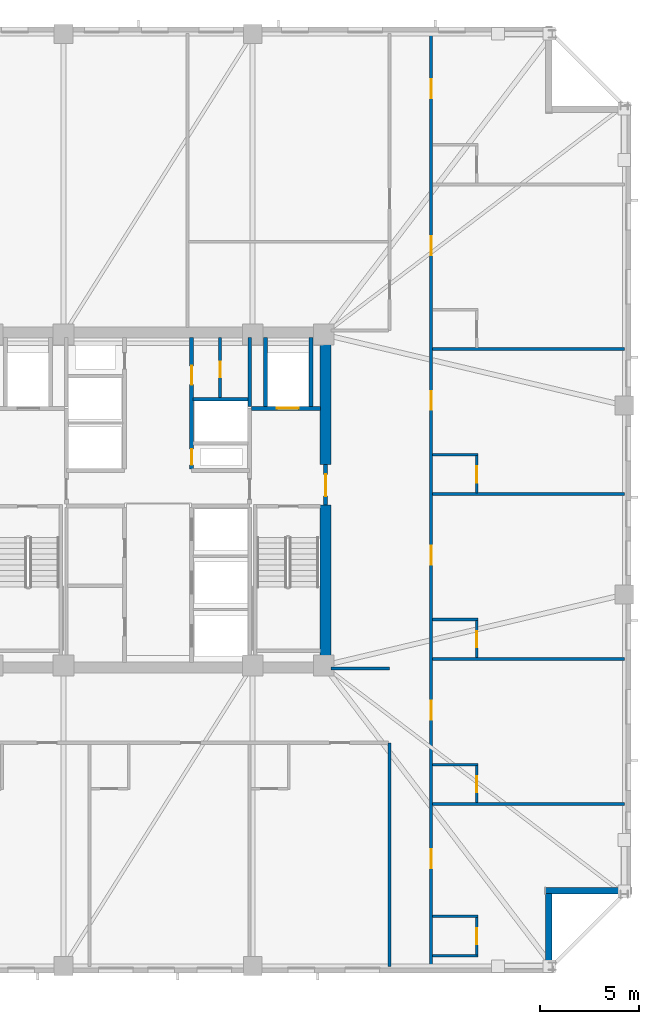
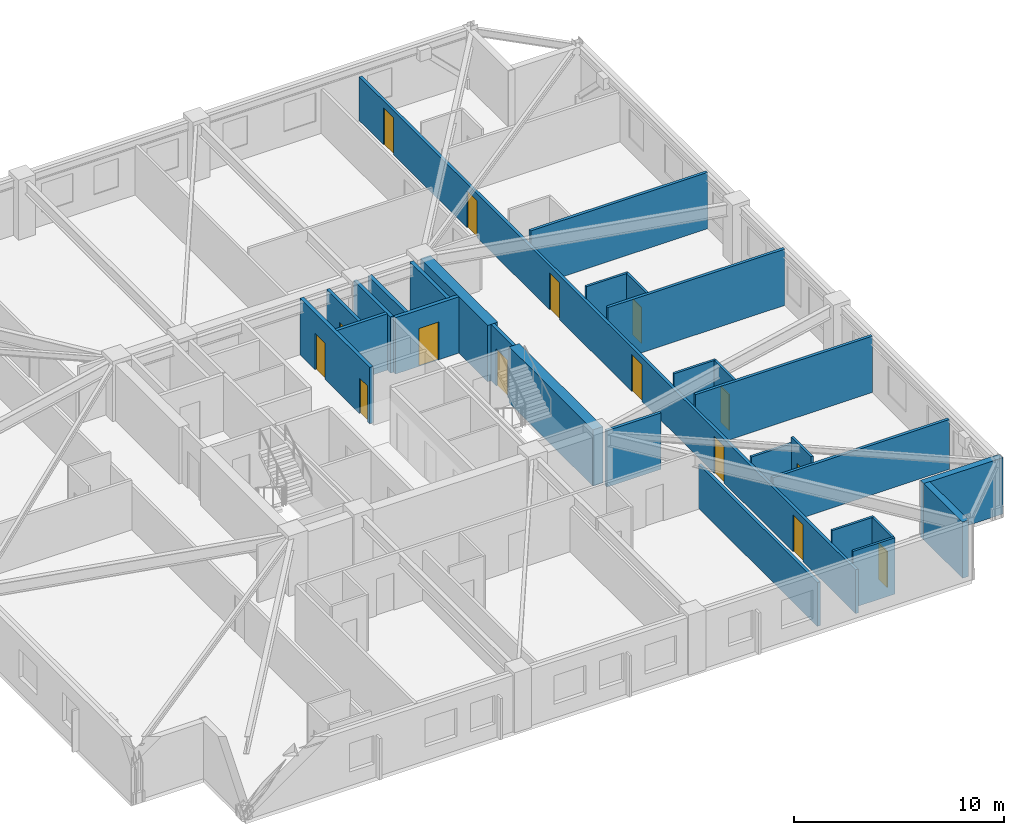
# One storey, part 4 of 11: 28 walls, 15 doors, 15 openings.
"""IFC4 building model written with IfcOpenShell, lengths in metres."""

import ifcopenshell
import ifcopenshell.guid

model = None  # the IFC model being written
_history = None  # IfcOwnerHistory: only IFC2X3 demands one
_inside = {}  # id of a spatial element -> (the spatial element, [elements in it])
_under = {}  # id of a project, library or spatial element -> (it, [spatial elements below it])
_declared = {}  # id of a project -> (the project, [libraries it declares])
_typed = {}  # id of a type object -> (the type object, [elements of that type])
_made_of = {}  # id of a material, layer set ... -> (it, [elements and type objects made of it])


def new_model(schema):
    """Start an empty IFC model of exactly this schema.

    Asked for "IFC4X3", IfcOpenShell would pick the latest addendum, in which some entities
    have other attributes; the version numbers below select the first issue.
    IFC2X3 requires an IfcOwnerHistory on every rooted entity: one is made here for all.
    """
    global model, _history
    if schema == "IFC4X3":
        model = ifcopenshell.file(schema_version=(4, 3, 0, 0))
    else:
        model = ifcopenshell.file(schema=schema)
    _inside.clear()
    _under.clear()
    _declared.clear()
    _typed.clear()
    _made_of.clear()
    _history = None
    if model.schema == "IFC2X3":
        org = make("IfcOrganization", Name="unknown")
        user = make(
            "IfcPersonAndOrganization",
            ThePerson=make("IfcPerson", FamilyName="unknown"),
            TheOrganization=org,
        )
        app = make(
            "IfcApplication",
            ApplicationDeveloper=org,
            Version="unknown",
            ApplicationFullName="unknown",
            ApplicationIdentifier="unknown",
        )
        _history = make(
            "IfcOwnerHistory",
            OwningUser=user,
            OwningApplication=app,
            ChangeAction="ADDED",
            CreationDate=0,
        )
    return model


def make(cls, **values):
    """One entity of the class cls with the attributes given. An attribute that is None is left unset."""
    return model.create_entity(
        cls, **{name: value for name, value in values.items() if value is not None}
    )


def rooted(cls, **values):
    """An entity with a GlobalId (a new one), such as an element, a storey or a relation."""
    return make(cls, GlobalId=ifcopenshell.guid.new(), OwnerHistory=_history, **values)


def si_unit(unit_type, name, prefix=None):
    """IfcSIUnit, for example si_unit("LENGTHUNIT", "METRE", prefix="MILLI")."""
    return make("IfcSIUnit", UnitType=unit_type, Prefix=prefix, Name=name)


def assignment(units):
    """IfcUnitAssignment: the units of a project."""
    return None if units is None else make("IfcUnitAssignment", Units=units)


def point(xyz):
    """IfcCartesianPoint."""
    return None if xyz is None else make("IfcCartesianPoint", Coordinates=xyz)


def direction(xyz):
    """IfcDirection."""
    return None if xyz is None else make("IfcDirection", DirectionRatios=xyz)


def frame(location, z_axis=None, x_axis=None):
    """IfcAxis2Placement3D, a coordinate frame: its origin and axes. An axis left out is left unset."""
    return make(
        "IfcAxis2Placement3D",
        Location=point(location),
        Axis=direction(z_axis),
        RefDirection=direction(x_axis),
    )


def frame_2d(location, x_axis=None):
    """IfcAxis2Placement2D, a coordinate frame in the plane: its origin and x axis."""
    return make(
        "IfcAxis2Placement2D", Location=point(location), RefDirection=direction(x_axis)
    )


def origin():
    """The frame at (0, 0, 0) with its axes left unset."""
    return frame((0.0, 0.0, 0.0))


def place(relative_to, where):
    """IfcLocalPlacement: puts the frame where relative to a parent placement (None: the world)."""
    return make(
        "IfcLocalPlacement", PlacementRelTo=relative_to, RelativePlacement=where
    )


def context(
    kind, dimensions, precision=None, world=None, true_north=None, identifier=None
):
    """IfcGeometricRepresentationContext, for example the 3D "Model" context."""
    return make(
        "IfcGeometricRepresentationContext",
        ContextIdentifier=identifier,
        ContextType=kind,
        CoordinateSpaceDimension=dimensions,
        Precision=precision,
        WorldCoordinateSystem=world,
        TrueNorth=true_north,
    )


def subcontext(parent, identifier, kind, view, scale=None):
    """IfcGeometricRepresentationSubContext, for example "Body" below "Model"."""
    return make(
        "IfcGeometricRepresentationSubContext",
        ContextIdentifier=identifier,
        ContextType=kind,
        ParentContext=parent,
        TargetScale=scale,
        TargetView=view,
    )


def project(units=None, contexts=None):
    """IfcProject with its units and contexts."""
    return rooted(
        "IfcProject",
        Name="project",
        RepresentationContexts=contexts,
        UnitsInContext=assignment(units),
    )


def spatial(cls, under=None, at=None, **own):
    """A site, building, storey or space (cls), placed at a placement, below another one or the project."""
    s = rooted(cls, ObjectPlacement=at, **own)
    if under is not None:
        _under.setdefault(under.id(), (under, []))[1].append(s)
    return s


def profile(cls, at=None, kind="AREA", **sizes):
    """A parametric profile (cls). Its sizes go by their IFC names, for example OverallWidth=200.0."""
    return make(cls, ProfileType=kind, Position=at, **sizes)


def rectangle(**sizes):
    """IfcRectangleProfileDef."""
    return profile("IfcRectangleProfileDef", **sizes)


def extrude(swept, where, along, depth):
    """IfcExtrudedAreaSolid: the profile swept, set in the frame where, extruded along a direction by depth."""
    return make(
        "IfcExtrudedAreaSolid",
        SweptArea=swept,
        Position=where,
        ExtrudedDirection=direction(along),
        Depth=depth,
    )


def shape(context_of_items, identifier, shape_type, items):
    """IfcShapeRepresentation: the items that make up one representation, for example the "Body"."""
    return make(
        "IfcShapeRepresentation",
        ContextOfItems=context_of_items,
        RepresentationIdentifier=identifier,
        RepresentationType=shape_type,
        Items=items,
    )


def material(Name=None, Category=None):
    """IfcMaterial."""
    return make("IfcMaterial", Name=Name, Category=Category)


def layer(
    of_material, thickness, ventilated=None, Name=None, Category=None, Priority=None
):
    """IfcMaterialLayer: one layer of a wall or slab, of a material (None: an air gap)."""
    return make(
        "IfcMaterialLayer",
        Material=of_material,
        LayerThickness=thickness,
        IsVentilated=ventilated,
        Name=Name,
        Category=Category,
        Priority=Priority,
    )


def layer_set(layers, Name=None):
    """IfcMaterialLayerSet."""
    return make("IfcMaterialLayerSet", MaterialLayers=layers, LayerSetName=Name)


def made_of(thing, what):
    """Note that an element or type object is made of a material, layer set ...; save() writes the relation."""
    if what is not None:
        _made_of.setdefault(what.id(), (what, []))[1].append(thing)
    return thing


def type_object(cls, material=None, **own):
    """A type object (cls), such as IfcWallType, which elements share."""
    return made_of(rooted(cls, **own), material)


def element(
    cls,
    number,
    at=None,
    inside=None,
    cuts=None,
    type_object=None,
    material=None,
    context=None,
    identifier="Body",
    shape_type=None,
    held_by="IfcProductDefinitionShape",
    body=None,
    shapes=None,
    **own,
):
    """One element of the class cls, such as IfcWall. Its Tag is "e" and its number.

    at: its placement. inside: the storey or other place that contains it. cuts: it is an
    opening in that element (IfcRelVoidsElement). A single representation is given by context,
    identifier, shape_type and body (its items); several are given by shapes. held_by: the class
    of the entity that holds the representations. save() writes the other relations.
    """
    e = rooted(cls, Tag="e%d" % number, ObjectPlacement=at, **own)
    if body is not None:
        shapes = [shape(context, identifier, shape_type, body)]
    if shapes is not None:
        e.Representation = make(held_by, Representations=shapes)
    if inside is not None:
        _inside.setdefault(inside.id(), (inside, []))[1].append(e)
    if cuts is not None:
        rooted(
            "IfcRelVoidsElement", RelatingBuildingElement=cuts, RelatedOpeningElement=e
        )
    if type_object is not None:
        _typed.setdefault(type_object.id(), (type_object, []))[1].append(e)
    return made_of(e, material)


def fill(opening, filler):
    """IfcRelFillsElement: the door or window that sits in an opening."""
    return rooted(
        "IfcRelFillsElement",
        RelatingOpeningElement=opening,
        RelatedBuildingElement=filler,
    )


def aggregate(whole, parts):
    """IfcRelAggregates: a whole, such as a stair, and the parts it consists of."""
    return rooted("IfcRelAggregates", RelatingObject=whole, RelatedObjects=parts)


def save(model, path):
    """Write the relations noted so far, then the file.

    IfcRelAggregates (storeys below a building ...), IfcRelContainedInSpatialStructure (elements
    in a storey), IfcRelDefinesByType, IfcRelAssociatesMaterial and IfcRelDeclares: one each for
    every whole, place, type object, material and project.
    """
    for whole, parts in _under.values():
        aggregate(whole, parts)
    for where, things in _inside.values():
        rooted(
            "IfcRelContainedInSpatialStructure",
            RelatedElements=things,
            RelatingStructure=where,
        )
    for kind, things in _typed.values():
        rooted("IfcRelDefinesByType", RelatedObjects=things, RelatingType=kind)
    for what, things in _made_of.values():
        rooted("IfcRelAssociatesMaterial", RelatedObjects=things, RelatingMaterial=what)
    for by, libraries in _declared.values():
        rooted("IfcRelDeclares", RelatingContext=by, RelatedDefinitions=libraries)
    model.write(path)


model = new_model("IFC4")

# Units and contexts
model_context = context("Model", 3, precision=1e-05, world=origin(), true_north=direction((0.0, 1.0)))
body_context = subcontext(model_context, "Body", "Model", "MODEL_VIEW")
ifc_project = project(units=[si_unit("LENGTHUNIT", "METRE"), si_unit("AREAUNIT", "SQUARE_METRE"), si_unit("VOLUMEUNIT", "CUBIC_METRE"), si_unit("PLANEANGLEUNIT", "RADIAN"), si_unit("MASSUNIT", "GRAM", prefix="KILO")], contexts=[model_context])

# Site, building, storey
site_placement = place(None, origin())
site = spatial("IfcSite", under=ifc_project, at=site_placement, CompositionType="ELEMENT")
building_placement = place(site_placement, origin())
building = spatial("IfcBuilding", under=site, at=building_placement, Name="Cairnveth Concourse Tower", CompositionType="ELEMENT")
storey_placement = place(building_placement, frame((0.0, 0.0, 127.0)))
storey = spatial("IfcBuildingStorey", under=building, at=storey_placement, Name="L34", CompositionType="ELEMENT", Elevation=127.0)

# Wall, opening, door
ifc_material_1 = material(Name="Gypsum Plasterboard Partition", Category="gypsum")
ifc_layer_1 = layer(ifc_material_1, 0.159912109375)
ifc_layer_set_1 = layer_set([ifc_layer_1], Name="Gypsum Plasterboard Partition")
wall_type_1 = type_object("IfcWallType", Name="ACOUSTIC PARTY WALL 180", PredefinedType="PARTITIONING", material=ifc_layer_set_1)
wall_1_placement = place(storey_placement, frame((55.14990234375, 44.195068359375, 0.0), z_axis=(0.0, 0.0, 1.0), x_axis=(0.0, 1.0, 0.0)))
wall_1 = element("IfcWall", 1, at=wall_1_placement, inside=storey, type_object=wall_type_1, Name="Interior Wall IW-L34-036", PredefinedType="PARTITIONING", context=body_context, shape_type="SweptSolid", body=[
    extrude(rectangle(XDim=3.044921875, YDim=0.159912109375, at=frame_2d((1.5224609375, 0.0))), origin(), (0.0, 0.0, 1.0), 3.280029296875),
])
opening_1_placement = place(wall_1_placement, frame((1.02490234375, 0.0, 0.0)))
opening_1 = element("IfcOpeningElement", 2, at=opening_1_placement, cuts=wall_1, Name="Opening ID23", PredefinedType="OPENING", context=body_context, shape_type="SweptSolid", body=[
    extrude(rectangle(XDim=0.800048828125, YDim=2.10009765625, at=frame_2d((0.39990234375, 1.050048828125))), frame((0.0, 0.08984375, 0.0), z_axis=(0.0, -1.0, 0.0), x_axis=(1.0, 0.0, 0.0)), (0.0, 0.0, 1.0), 0.179931640625),
])
ifc_material_2 = material(Name="Steel Grade 350", Category="steel")
door_type_1 = type_object("IfcDoorType", Name="CORE SERVICE DOOR 800X2100", OperationType="NOTDEFINED", PredefinedType="DOOR", material=ifc_material_2)
door_1_placement = place(opening_1_placement, origin())
door_1 = element("IfcDoor", 3, at=door_1_placement, inside=storey, type_object=door_type_1, Name="NE Linen Closet Door L34", OperationType="SINGLE_SWING_LEFT", OverallHeight=2.10009765625, OverallWidth=0.800048828125, PredefinedType="DOOR", context=body_context, shape_type="SweptSolid", body=[
    extrude(rectangle(XDim=0.800048828125, YDim=2.10009765625, at=frame_2d((0.39990234375, 1.050048828125))), frame((0.0, 0.02490234375, 0.0), z_axis=(0.0, -1.0, 0.0), x_axis=(1.0, 0.0, 0.0)), (0.0, 0.0, 1.0), 0.050048828125),
])
fill(opening_1, door_1)

# Wall, openings, doors
wall_2_placement = place(storey_placement, frame((65.85009765625, 15.324951171875, 0.0), z_axis=(0.0, 0.0, 1.0), x_axis=(0.0, 1.0, 0.0)))
wall_2 = element("IfcWall", 4, at=wall_2_placement, inside=storey, type_object=wall_type_1, Name="Interior Wall IW-L34-042", PredefinedType="PARTITIONING", context=body_context, shape_type="SweptSolid", body=[
    extrude(rectangle(XDim=47.35009765625, YDim=0.159912109375, at=frame_2d((23.675048828125, 0.0))), origin(), (0.0, 0.0, 1.0), 2.554931640625),
])
opening_2_placement = place(wall_2_placement, frame((4.992919921875, 0.0, 0.0)))
opening_2 = element("IfcOpeningElement", 5, at=opening_2_placement, cuts=wall_2, Name="Opening ID09", PredefinedType="OPENING", context=body_context, shape_type="SweptSolid", body=[
    extrude(rectangle(XDim=0.9599609375, YDim=2.14990234375, at=frame_2d((0.47998046875, 1.074951171875))), frame((0.0, 0.08984375, 0.0), z_axis=(0.0, -1.0, 0.0), x_axis=(1.0, 0.0, 0.0)), (0.0, 0.0, 1.0), 0.179931640625),
])
opening_3_placement = place(wall_2_placement, frame((12.525390625, 0.0, 0.0)))
opening_3 = element("IfcOpeningElement", 6, at=opening_3_placement, cuts=wall_2, Name="Opening ID09", PredefinedType="OPENING", context=body_context, shape_type="SweptSolid", body=[
    extrude(rectangle(XDim=0.9599609375, YDim=2.14990234375, at=frame_2d((0.47998046875, 1.074951171875))), frame((0.0, 0.08984375, 0.0), z_axis=(0.0, -1.0, 0.0), x_axis=(1.0, 0.0, 0.0)), (0.0, 0.0, 1.0), 0.179931640625),
])
opening_4_placement = place(wall_2_placement, frame((20.385498046875, 0.0, 0.0)))
opening_4 = element("IfcOpeningElement", 7, at=opening_4_placement, cuts=wall_2, Name="Opening ID09", PredefinedType="OPENING", context=body_context, shape_type="SweptSolid", body=[
    extrude(rectangle(XDim=0.9599609375, YDim=2.14990234375, at=frame_2d((0.47998046875, 1.074951171875))), frame((0.0, 0.08984375, 0.0), z_axis=(0.0, -1.0, 0.0), x_axis=(1.0, 0.0, 0.0)), (0.0, 0.0, 1.0), 0.179931640625),
])
opening_5_placement = place(wall_2_placement, frame((28.24560546875, 0.0, 0.0)))
opening_5 = element("IfcOpeningElement", 8, at=opening_5_placement, cuts=wall_2, Name="Opening ID09", PredefinedType="OPENING", context=body_context, shape_type="SweptSolid", body=[
    extrude(rectangle(XDim=0.9599609375, YDim=2.14990234375, at=frame_2d((0.47998046875, 1.074951171875))), frame((0.0, 0.08984375, 0.0), z_axis=(0.0, -1.0, 0.0), x_axis=(1.0, 0.0, 0.0)), (0.0, 0.0, 1.0), 0.179931640625),
])
opening_6_placement = place(wall_2_placement, frame((36.10546875, 0.0, 0.0)))
opening_6 = element("IfcOpeningElement", 9, at=opening_6_placement, cuts=wall_2, Name="Opening ID09", PredefinedType="OPENING", context=body_context, shape_type="SweptSolid", body=[
    extrude(rectangle(XDim=0.9599609375, YDim=2.14990234375, at=frame_2d((0.47998046875, 1.074951171875))), frame((0.0, 0.08984375, 0.0), z_axis=(0.0, -1.0, 0.0), x_axis=(1.0, 0.0, 0.0)), (0.0, 0.0, 1.0), 0.179931640625),
])
opening_7_placement = place(wall_2_placement, frame((44.06787109375, 0.0, 0.0)))
opening_7 = element("IfcOpeningElement", 10, at=opening_7_placement, cuts=wall_2, Name="Opening ID09", PredefinedType="OPENING", context=body_context, shape_type="SweptSolid", body=[
    extrude(rectangle(XDim=0.9599609375, YDim=2.14990234375, at=frame_2d((0.47998046875, 1.074951171875))), frame((0.0, 0.08984375, 0.0), z_axis=(0.0, -1.0, 0.0), x_axis=(1.0, 0.0, 0.0)), (0.0, 0.0, 1.0), 0.179931640625),
])
ifc_material_3 = material(Name="Solid Core Hardwood Timber Leaf", Category="wood")
door_type_2 = type_object("IfcDoorType", Name="HOTEL ENTRANCE DOOR 960X2150", OperationType="NOTDEFINED", PredefinedType="DOOR", material=ifc_material_3)
door_2_placement = place(opening_2_placement, origin())
door_2 = element("IfcDoor", 11, at=door_2_placement, inside=storey, type_object=door_type_2, Name="Hotel Room Door L34-E1", OperationType="SINGLE_SWING_RIGHT", OverallHeight=2.14990234375, OverallWidth=0.9599609375, PredefinedType="DOOR", context=body_context, shape_type="SweptSolid", body=[
    extrude(rectangle(XDim=0.9599609375, YDim=2.14990234375, at=frame_2d((0.47998046875, 1.074951171875))), frame((0.0, 0.02490234375, 0.0), z_axis=(0.0, -1.0, 0.0), x_axis=(1.0, 0.0, 0.0)), (0.0, 0.0, 1.0), 0.050048828125),
])
fill(opening_2, door_2)
door_3_placement = place(opening_3_placement, origin())
door_3 = element("IfcDoor", 12, at=door_3_placement, inside=storey, type_object=door_type_2, Name="Hotel Room Door L34-E2", OperationType="SINGLE_SWING_RIGHT", OverallHeight=2.14990234375, OverallWidth=0.9599609375, PredefinedType="DOOR", context=body_context, shape_type="SweptSolid", body=[
    extrude(rectangle(XDim=0.9599609375, YDim=2.14990234375, at=frame_2d((0.47998046875, 1.074951171875))), frame((0.0, 0.02490234375, 0.0), z_axis=(0.0, -1.0, 0.0), x_axis=(1.0, 0.0, 0.0)), (0.0, 0.0, 1.0), 0.050048828125),
])
fill(opening_3, door_3)
door_4_placement = place(opening_4_placement, origin())
door_4 = element("IfcDoor", 13, at=door_4_placement, inside=storey, type_object=door_type_2, Name="Hotel Room Door L34-E3", OperationType="SINGLE_SWING_RIGHT", OverallHeight=2.14990234375, OverallWidth=0.9599609375, PredefinedType="DOOR", context=body_context, shape_type="SweptSolid", body=[
    extrude(rectangle(XDim=0.9599609375, YDim=2.14990234375, at=frame_2d((0.47998046875, 1.074951171875))), frame((0.0, 0.02490234375, 0.0), z_axis=(0.0, -1.0, 0.0), x_axis=(1.0, 0.0, 0.0)), (0.0, 0.0, 1.0), 0.050048828125),
])
fill(opening_4, door_4)
door_5_placement = place(opening_5_placement, origin())
door_5 = element("IfcDoor", 14, at=door_5_placement, inside=storey, type_object=door_type_2, Name="Hotel Room Door L34-E4", OperationType="SINGLE_SWING_RIGHT", OverallHeight=2.14990234375, OverallWidth=0.9599609375, PredefinedType="DOOR", context=body_context, shape_type="SweptSolid", body=[
    extrude(rectangle(XDim=0.9599609375, YDim=2.14990234375, at=frame_2d((0.47998046875, 1.074951171875))), frame((0.0, 0.02490234375, 0.0), z_axis=(0.0, -1.0, 0.0), x_axis=(1.0, 0.0, 0.0)), (0.0, 0.0, 1.0), 0.050048828125),
])
fill(opening_5, door_5)
door_6_placement = place(opening_6_placement, origin())
door_6 = element("IfcDoor", 15, at=door_6_placement, inside=storey, type_object=door_type_2, Name="Hotel Room Door L34-E5", OperationType="SINGLE_SWING_RIGHT", OverallHeight=2.14990234375, OverallWidth=0.9599609375, PredefinedType="DOOR", context=body_context, shape_type="SweptSolid", body=[
    extrude(rectangle(XDim=0.9599609375, YDim=2.14990234375, at=frame_2d((0.47998046875, 1.074951171875))), frame((0.0, 0.02490234375, 0.0), z_axis=(0.0, -1.0, 0.0), x_axis=(1.0, 0.0, 0.0)), (0.0, 0.0, 1.0), 0.050048828125),
])
fill(opening_6, door_6)
door_7_placement = place(opening_7_placement, origin())
door_7 = element("IfcDoor", 16, at=door_7_placement, inside=storey, type_object=door_type_2, Name="Hotel Room Door L34-E6", OperationType="SINGLE_SWING_RIGHT", OverallHeight=2.14990234375, OverallWidth=0.9599609375, PredefinedType="DOOR", context=body_context, shape_type="SweptSolid", body=[
    extrude(rectangle(XDim=0.9599609375, YDim=2.14990234375, at=frame_2d((0.47998046875, 1.074951171875))), frame((0.0, 0.02490234375, 0.0), z_axis=(0.0, -1.0, 0.0), x_axis=(1.0, 0.0, 0.0)), (0.0, 0.0, 1.0), 0.050048828125),
])
fill(opening_7, door_7)

# Walls
wall_3_placement = place(storey_placement, frame((63.75, 15.324951171875, 0.0), z_axis=(0.0, 0.0, 1.0), x_axis=(0.0, 1.0, 0.0)))
element("IfcWall", 17, at=wall_3_placement, inside=storey, type_object=wall_type_1, Name="Interior Wall IW-L34-043", PredefinedType="PARTITIONING", context=body_context, shape_type="SweptSolid", body=[
    extrude(rectangle(XDim=11.35498046875, YDim=0.159912109375, at=frame_2d((5.677490234375, 0.0))), origin(), (0.0, 0.0, 1.0), 2.554931640625),
])
wall_4_placement = place(storey_placement, frame((60.764892578125, 30.449951171875, 0.0), z_axis=(0.0, 0.0, 1.0), x_axis=(1.0, 0.0, 0.0)))
element("IfcWall", 18, at=wall_4_placement, inside=storey, type_object=wall_type_1, Name="Interior Wall IW-L34-045", PredefinedType="PARTITIONING", context=body_context, shape_type="SweptSolid", body=[
    extrude(rectangle(XDim=2.985107421875, YDim=0.159912109375, at=frame_2d((1.49267578125, 0.0))), origin(), (0.0, 0.0, 1.0), 3.280029296875),
])
wall_5_placement = place(storey_placement, frame((65.929931640625, 23.57568359375, 0.0), z_axis=(0.0, 0.0, 1.0), x_axis=(1.0, 0.0, 0.0)))
element("IfcWall", 19, at=wall_5_placement, inside=storey, type_object=wall_type_1, Name="Interior Wall IW-L34-068", PredefinedType="PARTITIONING", context=body_context, shape_type="SweptSolid", body=[
    extrude(rectangle(XDim=9.7451171875, YDim=0.159912109375, at=frame_2d((4.87255859375, 0.0))), origin(), (0.0, 0.0, 1.0), 2.89599609375),
])
for number, where, z_axis, x_axis, name in (
    (20, (65.929931640625, 30.935302734375, 0.0), (0.0, 0.0, 1.0), (1.0, 0.0, 0.0), "Interior Wall IW-L34-071"),
    (21, (65.929931640625, 39.295654296875, 0.0), (0.0, 0.0, 1.0), (1.0, 0.0, 0.0), "Interior Wall IW-L34-074"),
    (22, (65.929931640625, 46.6552734375, 0.0), (0.0, 0.0, 1.0), (1.0, 0.0, 0.0), "Interior Wall IW-L34-077"),
):
    element("IfcWall", number, at=place(storey_placement, frame(where, z_axis=z_axis, x_axis=x_axis)), inside=storey, type_object=wall_type_1, Name=name, PredefinedType="PARTITIONING", context=body_context, shape_type="SweptSolid", body=[
        extrude(rectangle(XDim=9.7451171875, YDim=0.159912109375, at=frame_2d((4.87255859375, 0.0))), origin(), (0.0, 0.0, 1.0), 3.280029296875),
    ])
ifc_material_4 = material(Name="Concrete N80 (80 MPa)", Category="concrete")
ifc_layer_2 = layer(ifc_material_4, 0.550048828125)
ifc_layer_set_2 = layer_set([ifc_layer_2], Name="Concrete N80 (80 MPa)")
wall_type_2 = type_object("IfcWallType", Name="CORE SHEAR WALL 550", PredefinedType="SHEAR", material=ifc_layer_set_2)
wall_6_placement = place(storey_placement, frame((60.5, 30.764892578125, 0.0), z_axis=(0.0, 0.0, 1.0), x_axis=(0.0, 1.0, 0.0)))
element("IfcWall", 23, at=wall_6_placement, inside=storey, type_object=wall_type_2, Name="Core East Shear Wall S L34", PredefinedType="SHEAR", context=body_context, shape_type="SweptSolid", body=[
    extrude(rectangle(XDim=7.985107421875, YDim=0.550048828125, at=frame_2d((3.99267578125, 0.0))), origin(), (0.0, 0.0, 1.0), 3.280029296875),
])
wall_7_placement = place(storey_placement, frame((60.5, 40.800048828125, 0.0), z_axis=(0.0, 0.0, 1.0), x_axis=(0.0, 1.0, 0.0)))
element("IfcWall", 24, at=wall_7_placement, inside=storey, type_object=wall_type_2, Name="Core East Shear Wall N L34", PredefinedType="SHEAR", context=body_context, shape_type="SweptSolid", body=[
    extrude(rectangle(XDim=6.43505859375, YDim=0.550048828125, at=frame_2d((3.217529296875, 0.0))), origin(), (0.0, 0.0, 1.0), 3.280029296875),
])
ifc_material_5 = material(Name="Concrete N50 (50 MPa)", Category="concrete")
ifc_layer_3 = layer(ifc_material_5, 0.179931640625)
ifc_layer_set_3 = layer_set([ifc_layer_3], Name="Concrete N50 (50 MPa)")
wall_type_3 = type_object("IfcWallType", Name="FIRE SHAFT WALL 180", PredefinedType="SOLIDWALL", material=ifc_layer_set_3)
wall_8_placement = place(storey_placement, frame((56.64990234375, 43.735107421875, 0.0), z_axis=(0.0, 0.0, 1.0), x_axis=(0.0, 1.0, 0.0)))
element("IfcWall", 25, at=wall_8_placement, inside=storey, type_object=wall_type_3, Name="Interior Wall IW-L34-033", PredefinedType="SOLIDWALL", context=body_context, shape_type="SweptSolid", body=[
    extrude(rectangle(XDim=3.5048828125, YDim=0.179931640625, at=frame_2d((1.75244140625, 0.0))), origin(), (0.0, 0.0, 1.0), 3.280029296875),
])
wall_9_placement = place(storey_placement, frame((53.784912109375, 44.1201171875, 0.0), z_axis=(0.0, 0.0, 1.0), x_axis=(1.0, 0.0, 0.0)))
element("IfcWall", 26, at=wall_9_placement, inside=storey, type_object=wall_type_3, Name="Interior Wall IW-L34-035", PredefinedType="SOLIDWALL", context=body_context, shape_type="SweptSolid", body=[
    extrude(rectangle(XDim=2.7900390625, YDim=0.179931640625, at=frame_2d((1.39501953125, 0.0))), origin(), (0.0, 0.0, 1.0), 3.280029296875),
])

# Wall, openings, doors
ifc_layer_4 = layer(ifc_material_5, 0.199951171875)
ifc_layer_set_4 = layer_set([ifc_layer_4], Name="Concrete N50 (50 MPa)")
wall_type_4 = type_object("IfcWallType", Name="FIRE SHAFT WALL 200", PredefinedType="SOLIDWALL", material=ifc_layer_set_4)
wall_10_placement = place(storey_placement, frame((53.699951171875, 40.5849609375, 0.0), z_axis=(0.0, 0.0, 1.0), x_axis=(0.0, 1.0, 0.0)))
wall_10 = element("IfcWall", 27, at=wall_10_placement, inside=storey, type_object=wall_type_4, Name="Interior Wall IW-L34-014", PredefinedType="SOLIDWALL", context=body_context, shape_type="SweptSolid", body=[
    extrude(rectangle(XDim=6.655029296875, YDim=0.199951171875, at=frame_2d((3.32763671875, 0.0))), origin(), (0.0, 0.0, 1.0), 3.280029296875),
])
opening_8_placement = place(wall_10_placement, frame((0.195068359375, 0.0, 0.0)))
opening_8 = element("IfcOpeningElement", 28, at=opening_8_placement, cuts=wall_10, Name="Opening ID24", PredefinedType="OPENING", context=body_context, shape_type="SweptSolid", body=[
    extrude(rectangle(XDim=0.800048828125, YDim=2.080078125, at=frame_2d((0.39990234375, 1.0400390625))), frame((0.0, 0.10986328125, 0.0), z_axis=(0.0, -1.0, 0.0), x_axis=(1.0, 0.0, 0.0)), (0.0, 0.0, 1.0), 0.219970703125),
])
opening_9_placement = place(wall_10_placement, frame((4.264892578125, 0.0, 0.0)))
opening_9 = element("IfcOpeningElement", 29, at=opening_9_placement, cuts=wall_10, Name="Opening ID25", PredefinedType="OPENING", context=body_context, shape_type="SweptSolid", body=[
    extrude(rectangle(XDim=0.949951171875, YDim=2.1201171875, at=frame_2d((0.47509765625, 1.06005859375))), frame((0.0, 0.10986328125, 0.0), z_axis=(0.0, -1.0, 0.0), x_axis=(1.0, 0.0, 0.0)), (0.0, 0.0, 1.0), 0.219970703125),
])
door_type_3 = type_object("IfcDoorType", Name="CORE ACCESSIBLE FIRE DOOR 950X2120", OperationType="NOTDEFINED", PredefinedType="DOOR", material=ifc_material_2)
door_8_placement = place(opening_9_placement, origin())
door_8 = element("IfcDoor", 30, at=door_8_placement, inside=storey, type_object=door_type_3, Name="Core NE Restroom Door L34", OperationType="SINGLE_SWING_RIGHT", OverallHeight=2.1201171875, OverallWidth=0.949951171875, PredefinedType="DOOR", context=body_context, shape_type="SweptSolid", body=[
    extrude(rectangle(XDim=0.949951171875, YDim=2.1201171875, at=frame_2d((0.47509765625, 1.06005859375))), frame((0.0, 0.02490234375, 0.0), z_axis=(0.0, -1.0, 0.0), x_axis=(1.0, 0.0, 0.0)), (0.0, 0.0, 1.0), 0.050048828125),
])
fill(opening_9, door_8)
door_type_4 = type_object("IfcDoorType", Name="RISER ACCESS DOOR 800X2100", OperationType="NOTDEFINED", PredefinedType="DOOR", material=ifc_material_2)
door_9_placement = place(opening_8_placement, origin())
door_9 = element("IfcDoor", 31, at=door_9_placement, inside=storey, type_object=door_type_4, Name="Hydraulic Riser Door L34", OperationType="SINGLE_SWING_LEFT", OverallHeight=2.080078125, OverallWidth=0.800048828125, PredefinedType="DOOR", context=body_context, shape_type="SweptSolid", body=[
    extrude(rectangle(XDim=0.800048828125, YDim=2.080078125, at=frame_2d((0.39990234375, 1.0400390625))), frame((0.0, 0.02490234375, 0.0), z_axis=(0.0, -1.0, 0.0), x_axis=(1.0, 0.0, 0.0)), (0.0, 0.0, 1.0), 0.050048828125),
])
fill(opening_8, door_9)

# Wall, opening, door
wall_11_placement = place(storey_placement, frame((60.5, 38.75, 0.0), z_axis=(0.0, 0.0, 1.0), x_axis=(0.0, 1.0, 0.0)))
wall_11 = element("IfcWall", 32, at=wall_11_placement, inside=storey, type_object=wall_type_4, Name="Interior Wall IW-L34-020", PredefinedType="SOLIDWALL", context=body_context, shape_type="SweptSolid", body=[
    extrude(rectangle(XDim=2.050048828125, YDim=0.199951171875, at=frame_2d((1.02490234375, 0.0))), origin(), (0.0, 0.0, 1.0), 3.280029296875),
])
opening_10_placement = place(wall_11_placement, frame((0.449951171875, 0.0, 0.0)))
opening_10 = element("IfcOpeningElement", 33, at=opening_10_placement, cuts=wall_11, Name="Opening ID06", PredefinedType="OPENING", context=body_context, shape_type="SweptSolid", body=[
    extrude(rectangle(XDim=1.10009765625, YDim=2.14990234375, at=frame_2d((0.550048828125, 1.074951171875))), frame((0.0, 0.10986328125, 0.0), z_axis=(0.0, -1.0, 0.0), x_axis=(1.0, 0.0, 0.0)), (0.0, 0.0, 1.0), 0.219970703125),
])
door_type_5 = type_object("IfcDoorType", Name="FIRE CORRIDOR DOOR 1100X2150", OperationType="NOTDEFINED", PredefinedType="DOOR", material=ifc_material_2)
door_10_placement = place(opening_10_placement, origin())
door_10 = element("IfcDoor", 34, at=door_10_placement, inside=storey, type_object=door_type_5, Name="East Wing to FF Lobby Door L34", OperationType="SINGLE_SWING_RIGHT", OverallHeight=2.14990234375, OverallWidth=1.10009765625, PredefinedType="DOOR", context=body_context, shape_type="SweptSolid", body=[
    extrude(rectangle(XDim=1.10009765625, YDim=2.14990234375, at=frame_2d((0.550048828125, 1.074951171875))), frame((0.0, 0.02490234375, 0.0), z_axis=(0.0, -1.0, 0.0), x_axis=(1.0, 0.0, 0.0)), (0.0, 0.0, 1.0), 0.050048828125),
])
fill(opening_10, door_10)

wall_12_placement = place(storey_placement, frame((56.735107421875, 43.64990234375, 0.0), z_axis=(0.0, 0.0, 1.0), x_axis=(1.0, 0.0, 0.0)))
wall_12 = element("IfcWall", 35, at=wall_12_placement, inside=storey, type_object=wall_type_4, Name="Interior Wall IW-L34-022", PredefinedType="SOLIDWALL", context=body_context, shape_type="SweptSolid", body=[
    extrude(rectangle(XDim=3.5048828125, YDim=0.199951171875, at=frame_2d((1.75244140625, 0.0))), origin(), (0.0, 0.0, 1.0), 3.280029296875),
])
opening_11_placement = place(wall_12_placement, frame((1.294921875, 0.0, 0.0)))
opening_11 = element("IfcOpeningElement", 36, at=opening_11_placement, cuts=wall_12, Name="Opening LD-1", PredefinedType="OPENING", context=body_context, shape_type="SweptSolid", body=[
    extrude(rectangle(XDim=1.10009765625, YDim=2.199951171875, at=frame_2d((0.550048828125, 1.10009765625))), frame((0.0, 0.10986328125, 0.0), z_axis=(0.0, -1.0, 0.0), x_axis=(1.0, 0.0, 0.0)), (0.0, 0.0, 1.0), 0.219970703125),
])
ifc_material_6 = material(Name="Architectural Bronze Anodised Aluminium 6063-T6", Category="aluminium")
door_type_6 = type_object("IfcDoorType", Name="LIFT LANDING DOOR 1100X2200", OperationType="SLIDING_TO_LEFT", PredefinedType="DOOR", material=ifc_material_6)
door_11_placement = place(opening_11_placement, origin())
door_11 = element("IfcDoor", 37, at=door_11_placement, inside=storey, type_object=door_type_6, Name="Lift FFL2 Landing Door L34", OperationType="SLIDING_TO_LEFT", OverallHeight=2.199951171875, OverallWidth=1.10009765625, PredefinedType="DOOR", context=body_context, shape_type="SweptSolid", body=[
    extrude(rectangle(XDim=1.10009765625, YDim=2.199951171875, at=frame_2d((0.550048828125, 1.10009765625))), frame((0.0, 0.02490234375, 0.0), z_axis=(0.0, -1.0, 0.0), x_axis=(1.0, 0.0, 0.0)), (0.0, 0.0, 1.0), 0.050048828125),
])
fill(opening_11, door_11)

# Walls
for number, where, z_axis, x_axis, name in (
    (38, (57.449951171875, 43.735107421875, 0.0), (0.0, 0.0, 1.0), (0.0, 1.0, 0.0), "Interior Wall IW-L34-023"),
    (39, (59.75, 43.735107421875, 0.0), (0.0, 0.0, 1.0), (0.0, 1.0, 0.0), "Interior Wall IW-L34-024"),
):
    element("IfcWall", number, at=place(storey_placement, frame(where, z_axis=z_axis, x_axis=x_axis)), inside=storey, type_object=wall_type_4, Name=name, PredefinedType="SOLIDWALL", context=body_context, shape_type="SweptSolid", body=[
        extrude(rectangle(XDim=3.5048828125, YDim=0.199951171875, at=frame_2d((1.75244140625, 0.0))), origin(), (0.0, 0.0, 1.0), 3.280029296875),
    ])
ifc_layer_5 = layer(ifc_material_1, 0.1298828125)
ifc_layer_set_5 = layer_set([ifc_layer_5], Name="Gypsum Plasterboard Partition")
wall_type_5 = type_object("IfcWallType", Name="WET AREA PARTITION 140", PredefinedType="PLUMBINGWALL", material=ifc_layer_set_5)
for number, where, z_axis, x_axis, name in (
    (40, (65.9150390625, 15.8701171875, 0.0), (0.0, 0.0, 1.0), (1.0, 0.0, 0.0), "Interior Wall IW-L34-065"),
    (41, (65.9150390625, 17.8701171875, 0.0), (0.0, 0.0, 1.0), (1.0, 0.0, 0.0), "Interior Wall IW-L34-066"),
):
    element("IfcWall", number, at=place(storey_placement, frame(where, z_axis=z_axis, x_axis=x_axis)), inside=storey, type_object=wall_type_5, Name=name, PredefinedType="PLUMBINGWALL", context=body_context, shape_type="SweptSolid", body=[
        extrude(rectangle(XDim=2.31494140625, YDim=0.1298828125, at=frame_2d((1.157470703125, 0.0))), origin(), (0.0, 0.0, 1.0), 3.280029296875),
    ])

# Wall, opening, door
wall_13_placement = place(storey_placement, frame((68.179931640625, 15.919921875, 0.0), z_axis=(0.0, 0.0, 1.0), x_axis=(0.0, 1.0, 0.0)))
wall_13 = element("IfcWall", 42, at=wall_13_placement, inside=storey, type_object=wall_type_5, Name="Interior Wall IW-L34-067", PredefinedType="PLUMBINGWALL", context=body_context, shape_type="SweptSolid", body=[
    extrude(rectangle(XDim=1.900146484375, YDim=0.1298828125, at=frame_2d((0.9501953125, 0.0))), origin(), (0.0, 0.0, 1.0), 3.280029296875),
])
opening_12_placement = place(wall_13_placement, frame((0.5400390625, 0.0, 0.0)))
opening_12 = element("IfcOpeningElement", 43, at=opening_12_placement, cuts=wall_13, Name="Opening ID22", PredefinedType="OPENING", context=body_context, shape_type="SweptSolid", body=[
    extrude(rectangle(XDim=0.820068359375, YDim=2.10009765625, at=frame_2d((0.41015625, 1.050048828125))), frame((0.0, 0.074951171875, 0.0), z_axis=(0.0, -1.0, 0.0), x_axis=(1.0, 0.0, 0.0)), (0.0, 0.0, 1.0), 0.14990234375),
])
door_type_7 = type_object("IfcDoorType", Name="INTERIOR WC DOOR 820X2100", OperationType="NOTDEFINED", PredefinedType="DOOR", material=ifc_material_3)
door_12_placement = place(opening_12_placement, origin())
door_12 = element("IfcDoor", 44, at=door_12_placement, inside=storey, type_object=door_type_7, Name="En-Suite Door L34-E1", OperationType="SINGLE_SWING_LEFT", OverallHeight=2.10009765625, OverallWidth=0.820068359375, PredefinedType="DOOR", context=body_context, shape_type="SweptSolid", body=[
    extrude(rectangle(XDim=0.820068359375, YDim=2.10009765625, at=frame_2d((0.41015625, 1.050048828125))), frame((0.0, 0.02490234375, 0.0), z_axis=(0.0, -1.0, 0.0), x_axis=(1.0, 0.0, 0.0)), (0.0, 0.0, 1.0), 0.050048828125),
])
fill(opening_12, door_12)

# Wall
wall_14_placement = place(storey_placement, frame((65.9150390625, 25.57568359375, 0.0), z_axis=(0.0, 0.0, 1.0), x_axis=(1.0, 0.0, 0.0)))
element("IfcWall", 45, at=wall_14_placement, inside=storey, type_object=wall_type_5, Name="Interior Wall IW-L34-069", PredefinedType="PLUMBINGWALL", context=body_context, shape_type="SweptSolid", body=[
    extrude(rectangle(XDim=2.31494140625, YDim=0.1298828125, at=frame_2d((1.157470703125, 0.0))), origin(), (0.0, 0.0, 1.0), 2.89599609375),
])

# Wall, opening, door
wall_15_placement = place(storey_placement, frame((68.179931640625, 23.640625, 0.0), z_axis=(0.0, 0.0, 1.0), x_axis=(0.0, 1.0, 0.0)))
wall_15 = element("IfcWall", 46, at=wall_15_placement, inside=storey, type_object=wall_type_5, Name="Interior Wall IW-L34-070", PredefinedType="PLUMBINGWALL", context=body_context, shape_type="SweptSolid", body=[
    extrude(rectangle(XDim=1.885009765625, YDim=0.1298828125, at=frame_2d((0.9423828125, 0.0))), origin(), (0.0, 0.0, 1.0), 3.280029296875),
])
opening_13_placement = place(wall_15_placement, frame((0.52490234375, 0.0, 0.0)))
opening_13 = element("IfcOpeningElement", 47, at=opening_13_placement, cuts=wall_15, Name="Opening ID22", PredefinedType="OPENING", context=body_context, shape_type="SweptSolid", body=[
    extrude(rectangle(XDim=0.820068359375, YDim=2.10009765625, at=frame_2d((0.41015625, 1.050048828125))), frame((0.0, 0.074951171875, 0.0), z_axis=(0.0, -1.0, 0.0), x_axis=(1.0, 0.0, 0.0)), (0.0, 0.0, 1.0), 0.14990234375),
])
door_13_placement = place(opening_13_placement, origin())
door_13 = element("IfcDoor", 48, at=door_13_placement, inside=storey, type_object=door_type_7, Name="En-Suite Door L34-E2", OperationType="SINGLE_SWING_LEFT", OverallHeight=2.10009765625, OverallWidth=0.820068359375, PredefinedType="DOOR", context=body_context, shape_type="SweptSolid", body=[
    extrude(rectangle(XDim=0.820068359375, YDim=2.10009765625, at=frame_2d((0.41015625, 1.050048828125))), frame((0.0, 0.02490234375, 0.0), z_axis=(0.0, -1.0, 0.0), x_axis=(1.0, 0.0, 0.0)), (0.0, 0.0, 1.0), 0.050048828125),
])
fill(opening_13, door_13)

# Wall
wall_16_placement = place(storey_placement, frame((65.9150390625, 32.935302734375, 0.0), z_axis=(0.0, 0.0, 1.0), x_axis=(1.0, 0.0, 0.0)))
element("IfcWall", 49, at=wall_16_placement, inside=storey, type_object=wall_type_5, Name="Interior Wall IW-L34-072", PredefinedType="PLUMBINGWALL", context=body_context, shape_type="SweptSolid", body=[
    extrude(rectangle(XDim=2.31494140625, YDim=0.1298828125, at=frame_2d((1.157470703125, 0.0))), origin(), (0.0, 0.0, 1.0), 3.280029296875),
])

# Wall, opening, door
wall_17_placement = place(storey_placement, frame((68.179931640625, 31.000244140625, 0.0), z_axis=(0.0, 0.0, 1.0), x_axis=(0.0, 1.0, 0.0)))
wall_17 = element("IfcWall", 50, at=wall_17_placement, inside=storey, type_object=wall_type_5, Name="Interior Wall IW-L34-073", PredefinedType="PLUMBINGWALL", context=body_context, shape_type="SweptSolid", body=[
    extrude(rectangle(XDim=1.885009765625, YDim=0.1298828125, at=frame_2d((0.9423828125, 0.0))), origin(), (0.0, 0.0, 1.0), 3.280029296875),
])
opening_14_placement = place(wall_17_placement, frame((0.52490234375, 0.0, 0.0)))
opening_14 = element("IfcOpeningElement", 51, at=opening_14_placement, cuts=wall_17, Name="Opening ID22", PredefinedType="OPENING", context=body_context, shape_type="SweptSolid", body=[
    extrude(rectangle(XDim=0.820068359375, YDim=2.10009765625, at=frame_2d((0.41015625, 1.050048828125))), frame((0.0, 0.074951171875, 0.0), z_axis=(0.0, -1.0, 0.0), x_axis=(1.0, 0.0, 0.0)), (0.0, 0.0, 1.0), 0.14990234375),
])
door_14_placement = place(opening_14_placement, origin())
door_14 = element("IfcDoor", 52, at=door_14_placement, inside=storey, type_object=door_type_7, Name="En-Suite Door L34-E3", OperationType="SINGLE_SWING_LEFT", OverallHeight=2.10009765625, OverallWidth=0.820068359375, PredefinedType="DOOR", context=body_context, shape_type="SweptSolid", body=[
    extrude(rectangle(XDim=0.820068359375, YDim=2.10009765625, at=frame_2d((0.41015625, 1.050048828125))), frame((0.0, 0.02490234375, 0.0), z_axis=(0.0, -1.0, 0.0), x_axis=(1.0, 0.0, 0.0)), (0.0, 0.0, 1.0), 0.050048828125),
])
fill(opening_14, door_14)

# Wall
wall_18_placement = place(storey_placement, frame((65.9150390625, 41.295654296875, 0.0), z_axis=(0.0, 0.0, 1.0), x_axis=(1.0, 0.0, 0.0)))
element("IfcWall", 53, at=wall_18_placement, inside=storey, type_object=wall_type_5, Name="Interior Wall IW-L34-075", PredefinedType="PLUMBINGWALL", context=body_context, shape_type="SweptSolid", body=[
    extrude(rectangle(XDim=2.31494140625, YDim=0.1298828125, at=frame_2d((1.157470703125, 0.0))), origin(), (0.0, 0.0, 1.0), 3.280029296875),
])

# Wall, opening, door
wall_19_placement = place(storey_placement, frame((68.179931640625, 39.360595703125, 0.0), z_axis=(0.0, 0.0, 1.0), x_axis=(0.0, 1.0, 0.0)))
wall_19 = element("IfcWall", 54, at=wall_19_placement, inside=storey, type_object=wall_type_5, Name="Interior Wall IW-L34-076", PredefinedType="PLUMBINGWALL", context=body_context, shape_type="SweptSolid", body=[
    extrude(rectangle(XDim=1.885009765625, YDim=0.1298828125, at=frame_2d((0.9423828125, 0.0))), origin(), (0.0, 0.0, 1.0), 3.280029296875),
])
opening_15_placement = place(wall_19_placement, frame((0.52490234375, 0.0, 0.0)))
opening_15 = element("IfcOpeningElement", 55, at=opening_15_placement, cuts=wall_19, Name="Opening ID22", PredefinedType="OPENING", context=body_context, shape_type="SweptSolid", body=[
    extrude(rectangle(XDim=0.820068359375, YDim=2.10009765625, at=frame_2d((0.41015625, 1.050048828125))), frame((0.0, 0.074951171875, 0.0), z_axis=(0.0, -1.0, 0.0), x_axis=(1.0, 0.0, 0.0)), (0.0, 0.0, 1.0), 0.14990234375),
])
door_15_placement = place(opening_15_placement, origin())
door_15 = element("IfcDoor", 56, at=door_15_placement, inside=storey, type_object=door_type_7, Name="En-Suite Door L34-E4", OperationType="SINGLE_SWING_LEFT", OverallHeight=2.10009765625, OverallWidth=0.820068359375, PredefinedType="DOOR", context=body_context, shape_type="SweptSolid", body=[
    extrude(rectangle(XDim=0.820068359375, YDim=2.10009765625, at=frame_2d((0.41015625, 1.050048828125))), frame((0.0, 0.02490234375, 0.0), z_axis=(0.0, -1.0, 0.0), x_axis=(1.0, 0.0, 0.0)), (0.0, 0.0, 1.0), 0.050048828125),
])
fill(opening_15, door_15)

# Walls
ifc_material_7 = material(Name="Hawthorn Red-Ochre Fired Clay Brick Masonry", Category="masonry")
ifc_layer_6 = layer(ifc_material_7, 0.340087890625)
ifc_layer_set_6 = layer_set([ifc_layer_6], Name="Hawthorn Red-Ochre Fired Clay Brick Masonry")
wall_type_6 = type_object("IfcWallType", Name="ZONE 2 BRICK PIER SPANDREL WALL 340", PredefinedType="SOLIDWALL", material=ifc_layer_set_6)
wall_20_placement = place(storey_placement, frame((76.0, 19.169921875, 0.0), z_axis=(0.0, 0.0, 1.0), x_axis=(-1.0, 0.0, 0.0)))
element("IfcWall", 57, at=wall_20_placement, inside=storey, type_object=wall_type_6, Name="Exterior Wall EW-L34-S07", PredefinedType="SOLIDWALL", context=body_context, shape_type="SweptSolid", body=[
    extrude(rectangle(XDim=4.340087890625, YDim=0.340087890625, at=frame_2d((2.169921875, 0.0))), origin(), (0.0, 0.0, 1.0), 3.280029296875),
])
wall_21_placement = place(storey_placement, frame((71.830078125, 19.02197265625, 0.0), z_axis=(0.0, 0.0, 1.0), x_axis=(0.0, -1.0, 0.0)))
element("IfcWall", 58, at=wall_21_placement, inside=storey, type_object=wall_type_6, Name="Exterior Wall EW-L34-S08", PredefinedType="SOLIDWALL", context=body_context, shape_type="SweptSolid", body=[
    extrude(rectangle(XDim=3.703857421875, YDim=0.340087890625, at=frame_2d((1.85205078125, 0.0))), origin(), (0.0, 0.0, 1.0), 3.280029296875),
])

save(model, "model.ifc")
